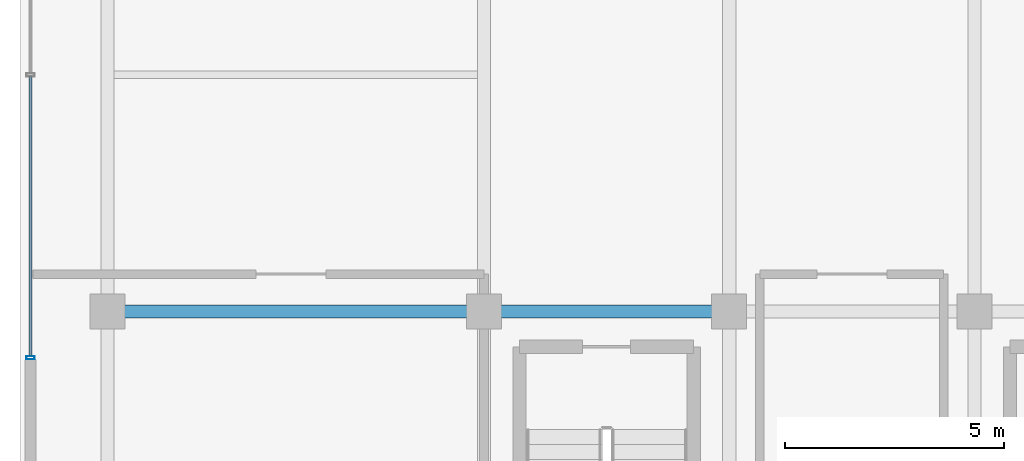
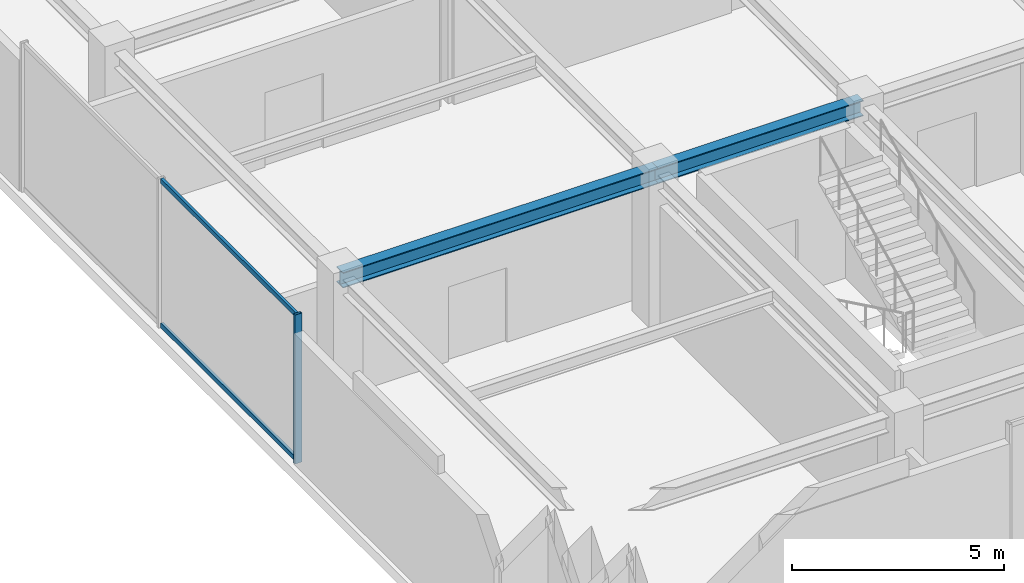
# One storey, part 3 of 18: 3 members, 2 beams, 1 element without a shape of its own.
"""IFC4 building model written with IfcOpenShell, lengths in metres."""

from ifc_helpers import new_model, si_unit, direction, frame, origin, origin_2d, place, context, subcontext, project, spatial, hollow_rectangle, i_section, extrude, source, transform, mapped, material, material_profile, profile_set, type_object, element, aggregate, save


model = new_model("IFC4")

# Units and contexts
model_context = context("Model", 3, precision=1e-05, world=origin(), true_north=direction((0.0, 1.0)))
body_context = subcontext(model_context, "Body", "Model", "MODEL_VIEW")
ifc_project = project(units=[si_unit("LENGTHUNIT", "METRE"), si_unit("AREAUNIT", "SQUARE_METRE"), si_unit("VOLUMEUNIT", "CUBIC_METRE"), si_unit("PLANEANGLEUNIT", "RADIAN"), si_unit("MASSUNIT", "GRAM", prefix="KILO")], contexts=[model_context])

# Site, building, storey
site_placement = place(None, origin())
site = spatial("IfcSite", under=ifc_project, at=site_placement, CompositionType="ELEMENT")
building_placement = place(site_placement, origin())
building = spatial("IfcBuilding", under=site, at=building_placement, Name="Nahalor Promenade Grand Hotel", CompositionType="ELEMENT")
storey_placement = place(building_placement, frame((0.0, 0.0, 361.64990234375)))
storey = spatial("IfcBuildingStorey", under=building, at=storey_placement, Name="L92", CompositionType="ELEMENT", Elevation=361.64990234375)

# Beams
ifc_material_1 = material(Name="Steel S355JR", Category="steel")
ifc_material_profile_1 = material_profile(ifc_material_1, i_section(OverallWidth=0.3, OverallDepth=0.45, WebThickness=0.014, FlangeThickness=0.026, at=origin_2d()), Name="HEB 450")
ifc_profile_set_1 = profile_set([ifc_material_profile_1], Name="Steel S355JR")
beam_type = type_object("IfcBeamType", Name="Beam-Girder-HEB450", PredefinedType="BEAM", material=ifc_profile_set_1)
shared_shape_1 = source(origin(), body_context, "Body", "SweptSolid", [
    extrude(i_section(OverallWidth=0.3, OverallDepth=0.45, WebThickness=0.014, FlangeThickness=0.026, at=origin_2d()), origin(), (0.0, 0.0, 1.0), 8.60009765625),
])
beam_1_placement = place(storey_placement, frame((-17.0, -5.39990234375, 4.0751953125), z_axis=(1.0, 0.0, 0.0), x_axis=(0.0, 1.0, 0.0)))
element("IfcBeam", 1, at=beam_1_placement, inside=storey, type_object=beam_type, Name="BM-L92-GX-1-0", PredefinedType="BEAM", context=body_context, shape_type="MappedRepresentation", body=[
    mapped(shared_shape_1, transform((0.0, 0.0, 0.0), scale=1.0)),
])
shared_shape_2 = source(origin(), body_context, "Body", "SweptSolid", [
    extrude(i_section(OverallWidth=0.3, OverallDepth=0.45, WebThickness=0.014, FlangeThickness=0.026, at=origin_2d()), origin(), (0.0, 0.0, 1.0), 5.599853515625),
])
beam_2_placement = place(storey_placement, frame((-8.39990234375, -5.39990234375, 4.0751953125), z_axis=(1.0, 0.0, 0.0), x_axis=(0.0, 1.0, 0.0)))
element("IfcBeam", 2, at=beam_2_placement, inside=storey, type_object=beam_type, Name="BM-L92-GX-1-1", PredefinedType="BEAM", context=body_context, shape_type="MappedRepresentation", body=[
    mapped(shared_shape_2, transform((0.0, 0.0, 0.0), scale=1.0)),
])

# Curtain wall, members
ifc_material_2 = material(Name="Anodised Bronze Aluminium EN AW-6063 T6", Category="aluminium")
curtain_wall_type = type_object("IfcCurtainWallType", Name="CW6 Crown Botanical Conservatory Curtain Wall", PredefinedType="USERDEFINED", material=ifc_material_2)
curtain_wall_placement = place(storey_placement, origin())
curtain_wall = element("IfcCurtainWall", 3, at=curtain_wall_placement, inside=storey, type_object=curtain_wall_type, Name="L92 Curtain Wall CW-L92-W", ObjectType="UNITISED_CURTAIN_WALL", PredefinedType="USERDEFINED")
ifc_material_profile_2 = material_profile(ifc_material_2, hollow_rectangle(XDim=0.075, YDim=0.135, WallThickness=0.004, at=origin_2d()), Name="CWT 75x135x4")
ifc_profile_set_2 = profile_set([ifc_material_profile_2], Name="Anodised Bronze Aluminium EN AW-6063 T6")
member_type_1 = type_object("IfcMemberType", Name="CWT6 Conservatory Transom 75x135", PredefinedType="USERDEFINED", material=ifc_profile_set_2)
shared_shape_3 = source(origin(), body_context, "Body", "SweptSolid", [
    extrude(hollow_rectangle(XDim=0.075, YDim=0.135, WallThickness=0.004, at=origin_2d()), origin(), (0.0, 0.0, 1.0), 6.387451171875),
])
member_1_placement = place(storey_placement, frame((-18.760009765625, -6.425048828125, 0.067626953125), z_axis=(0.0, 1.0, 0.0), x_axis=(-1.0, 0.0, 0.0)))
member_1 = element("IfcMember", 4, at=member_1_placement, type_object=member_type_1, Name="CW-L92-W Transom 0-0", ObjectType="TRANSOM", PredefinedType="USERDEFINED", context=body_context, shape_type="MappedRepresentation", body=[
    mapped(shared_shape_3, transform((0.0, 0.0, 0.0), scale=1.0)),
])
member_2_placement = place(storey_placement, frame((-18.760009765625, -6.425048828125, 4.232666015625), z_axis=(0.0, 1.0, 0.0), x_axis=(-1.0, 0.0, 0.0)))
member_2 = element("IfcMember", 5, at=member_2_placement, type_object=member_type_1, Name="CW-L92-W Transom 0-1", ObjectType="TRANSOM", PredefinedType="USERDEFINED", context=body_context, shape_type="MappedRepresentation", body=[
    mapped(shared_shape_3, transform((0.0, 0.0, 0.0), scale=1.0)),
])
ifc_material_profile_3 = material_profile(ifc_material_2, hollow_rectangle(XDim=0.075, YDim=0.19, WallThickness=0.005, at=origin_2d()), Name="CWM 75x190x5")
ifc_profile_set_3 = profile_set([ifc_material_profile_3], Name="Anodised Bronze Aluminium EN AW-6063 T6")
member_type_2 = type_object("IfcMemberType", Name="CWM6 Conservatory Bronze Mullion 75x190", PredefinedType="MULLION", material=ifc_profile_set_3)
shared_shape_4 = source(origin(), body_context, "Body", "SweptSolid", [
    extrude(hollow_rectangle(XDim=0.075, YDim=0.19, WallThickness=0.005, at=origin_2d()), origin(), (0.0, 0.0, 1.0), 4.300048828125),
])
member_3_placement = place(storey_placement, frame((-18.760009765625, -6.46240234375, 0.0), z_axis=(0.0, 0.0, 1.0), x_axis=(0.0, 1.0, 0.0)))
member_3 = element("IfcMember", 6, at=member_3_placement, type_object=member_type_2, Name="CW-L92-W Mullion 0", PredefinedType="MULLION", context=body_context, shape_type="MappedRepresentation", body=[
    mapped(shared_shape_4, transform((0.0, 0.0, 0.0), scale=1.0)),
])
aggregate(curtain_wall, [member_3, member_1, member_2])

save(model, "model.ifc")
